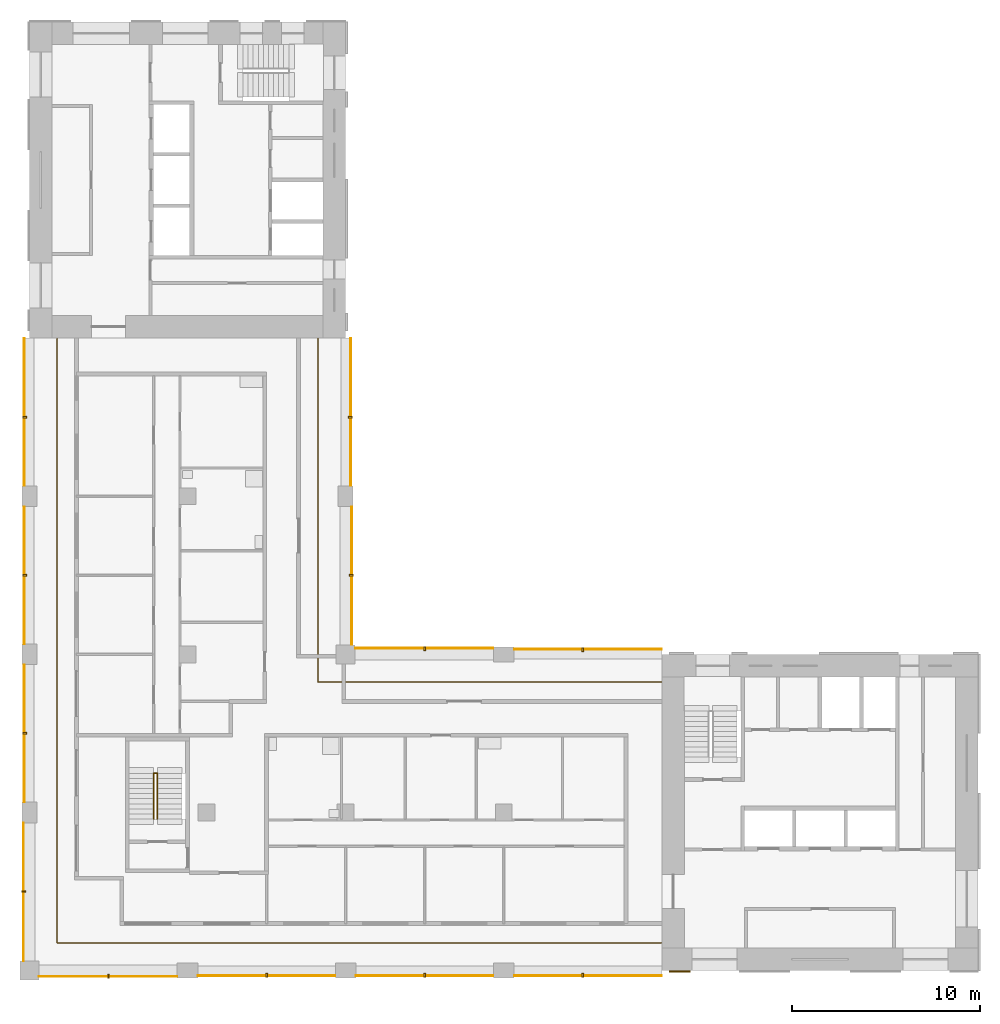
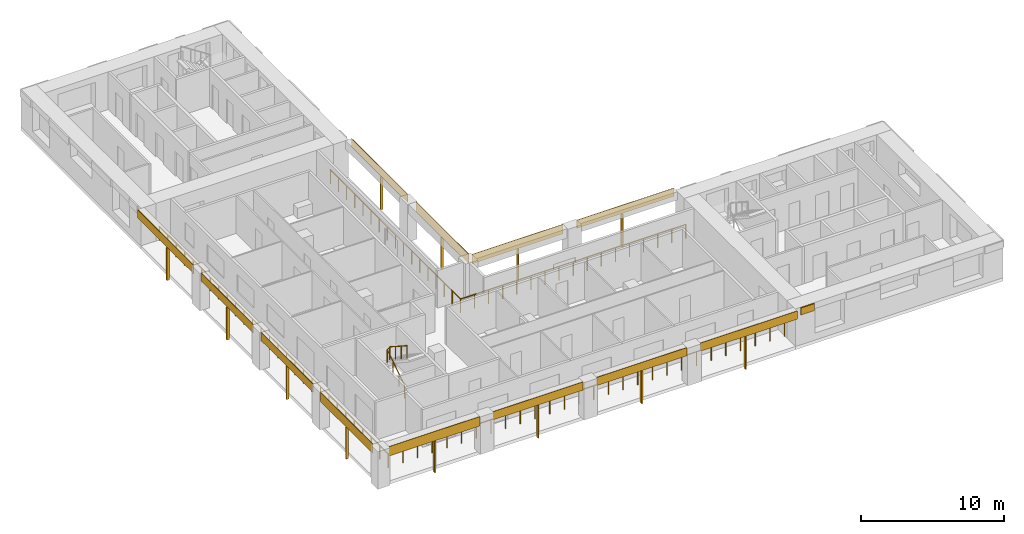
# One storey, part 7 of 9: 25 shading devices, 3 railings.
"""IFC4 building model written with IfcOpenShell, lengths in metres."""

import ifcopenshell
import ifcopenshell.guid

model = None  # the IFC model being written
_history = None  # IfcOwnerHistory: only IFC2X3 demands one
_inside = {}  # id of a spatial element -> (the spatial element, [elements in it])
_under = {}  # id of a project, library or spatial element -> (it, [spatial elements below it])
_declared = {}  # id of a project -> (the project, [libraries it declares])
_typed = {}  # id of a type object -> (the type object, [elements of that type])
_made_of = {}  # id of a material, layer set ... -> (it, [elements and type objects made of it])


def new_model(schema):
    """Start an empty IFC model of exactly this schema.

    Asked for "IFC4X3", IfcOpenShell would pick the latest addendum, in which some entities
    have other attributes; the version numbers below select the first issue.
    IFC2X3 requires an IfcOwnerHistory on every rooted entity: one is made here for all.
    """
    global model, _history
    if schema == "IFC4X3":
        model = ifcopenshell.file(schema_version=(4, 3, 0, 0))
    else:
        model = ifcopenshell.file(schema=schema)
    _inside.clear()
    _under.clear()
    _declared.clear()
    _typed.clear()
    _made_of.clear()
    _history = None
    if model.schema == "IFC2X3":
        org = make("IfcOrganization", Name="unknown")
        user = make(
            "IfcPersonAndOrganization",
            ThePerson=make("IfcPerson", FamilyName="unknown"),
            TheOrganization=org,
        )
        app = make(
            "IfcApplication",
            ApplicationDeveloper=org,
            Version="unknown",
            ApplicationFullName="unknown",
            ApplicationIdentifier="unknown",
        )
        _history = make(
            "IfcOwnerHistory",
            OwningUser=user,
            OwningApplication=app,
            ChangeAction="ADDED",
            CreationDate=0,
        )
    return model


def make(cls, **values):
    """One entity of the class cls with the attributes given. An attribute that is None is left unset."""
    return model.create_entity(
        cls, **{name: value for name, value in values.items() if value is not None}
    )


def rooted(cls, **values):
    """An entity with a GlobalId (a new one), such as an element, a storey or a relation."""
    return make(cls, GlobalId=ifcopenshell.guid.new(), OwnerHistory=_history, **values)


def si_unit(unit_type, name, prefix=None):
    """IfcSIUnit, for example si_unit("LENGTHUNIT", "METRE", prefix="MILLI")."""
    return make("IfcSIUnit", UnitType=unit_type, Prefix=prefix, Name=name)


def assignment(units):
    """IfcUnitAssignment: the units of a project."""
    return None if units is None else make("IfcUnitAssignment", Units=units)


def point(xyz):
    """IfcCartesianPoint."""
    return None if xyz is None else make("IfcCartesianPoint", Coordinates=xyz)


def direction(xyz):
    """IfcDirection."""
    return None if xyz is None else make("IfcDirection", DirectionRatios=xyz)


def frame(location, z_axis=None, x_axis=None):
    """IfcAxis2Placement3D, a coordinate frame: its origin and axes. An axis left out is left unset."""
    return make(
        "IfcAxis2Placement3D",
        Location=point(location),
        Axis=direction(z_axis),
        RefDirection=direction(x_axis),
    )


def frame_2d(location, x_axis=None):
    """IfcAxis2Placement2D, a coordinate frame in the plane: its origin and x axis."""
    return make(
        "IfcAxis2Placement2D", Location=point(location), RefDirection=direction(x_axis)
    )


def origin():
    """The frame at (0, 0, 0) with its axes left unset."""
    return frame((0.0, 0.0, 0.0))


def origin_2d():
    """The frame at (0, 0) in the plane with its x axis left unset."""
    return frame_2d((0.0, 0.0))


def place(relative_to, where):
    """IfcLocalPlacement: puts the frame where relative to a parent placement (None: the world)."""
    return make(
        "IfcLocalPlacement", PlacementRelTo=relative_to, RelativePlacement=where
    )


def context(
    kind, dimensions, precision=None, world=None, true_north=None, identifier=None
):
    """IfcGeometricRepresentationContext, for example the 3D "Model" context."""
    return make(
        "IfcGeometricRepresentationContext",
        ContextIdentifier=identifier,
        ContextType=kind,
        CoordinateSpaceDimension=dimensions,
        Precision=precision,
        WorldCoordinateSystem=world,
        TrueNorth=true_north,
    )


def subcontext(parent, identifier, kind, view, scale=None):
    """IfcGeometricRepresentationSubContext, for example "Body" below "Model"."""
    return make(
        "IfcGeometricRepresentationSubContext",
        ContextIdentifier=identifier,
        ContextType=kind,
        ParentContext=parent,
        TargetScale=scale,
        TargetView=view,
    )


def project(units=None, contexts=None):
    """IfcProject with its units and contexts."""
    return rooted(
        "IfcProject",
        Name="project",
        RepresentationContexts=contexts,
        UnitsInContext=assignment(units),
    )


def spatial(cls, under=None, at=None, **own):
    """A site, building, storey or space (cls), placed at a placement, below another one or the project."""
    s = rooted(cls, ObjectPlacement=at, **own)
    if under is not None:
        _under.setdefault(under.id(), (under, []))[1].append(s)
    return s


def profile(cls, at=None, kind="AREA", **sizes):
    """A parametric profile (cls). Its sizes go by their IFC names, for example OverallWidth=200.0."""
    return make(cls, ProfileType=kind, Position=at, **sizes)


def rectangle(**sizes):
    """IfcRectangleProfileDef."""
    return profile("IfcRectangleProfileDef", **sizes)


def circle(**sizes):
    """IfcCircleProfileDef."""
    return profile("IfcCircleProfileDef", **sizes)


def extrude(swept, where, along, depth):
    """IfcExtrudedAreaSolid: the profile swept, set in the frame where, extruded along a direction by depth."""
    return make(
        "IfcExtrudedAreaSolid",
        SweptArea=swept,
        Position=where,
        ExtrudedDirection=direction(along),
        Depth=depth,
    )


def shape(context_of_items, identifier, shape_type, items):
    """IfcShapeRepresentation: the items that make up one representation, for example the "Body"."""
    return make(
        "IfcShapeRepresentation",
        ContextOfItems=context_of_items,
        RepresentationIdentifier=identifier,
        RepresentationType=shape_type,
        Items=items,
    )


def material(Name=None, Category=None):
    """IfcMaterial."""
    return make("IfcMaterial", Name=Name, Category=Category)


def layer(
    of_material, thickness, ventilated=None, Name=None, Category=None, Priority=None
):
    """IfcMaterialLayer: one layer of a wall or slab, of a material (None: an air gap)."""
    return make(
        "IfcMaterialLayer",
        Material=of_material,
        LayerThickness=thickness,
        IsVentilated=ventilated,
        Name=Name,
        Category=Category,
        Priority=Priority,
    )


def layer_set(layers, Name=None):
    """IfcMaterialLayerSet."""
    return make("IfcMaterialLayerSet", MaterialLayers=layers, LayerSetName=Name)


def material_profile(
    of_material, cross_section, Name=None, Category=None, Priority=None
):
    """IfcMaterialProfile: a cross section and its material."""
    return make(
        "IfcMaterialProfile",
        Name=Name,
        Material=of_material,
        Profile=cross_section,
        Priority=Priority,
        Category=Category,
    )


def profile_set(profiles, Name=None, composite=None):
    """IfcMaterialProfileSet."""
    return make(
        "IfcMaterialProfileSet",
        Name=Name,
        MaterialProfiles=profiles,
        CompositeProfile=composite,
    )


def made_of(thing, what):
    """Note that an element or type object is made of a material, layer set ...; save() writes the relation."""
    if what is not None:
        _made_of.setdefault(what.id(), (what, []))[1].append(thing)
    return thing


def type_object(cls, material=None, **own):
    """A type object (cls), such as IfcWallType, which elements share."""
    return made_of(rooted(cls, **own), material)


def element(
    cls,
    number,
    at=None,
    inside=None,
    cuts=None,
    type_object=None,
    material=None,
    context=None,
    identifier="Body",
    shape_type=None,
    held_by="IfcProductDefinitionShape",
    body=None,
    shapes=None,
    **own,
):
    """One element of the class cls, such as IfcWall. Its Tag is "e" and its number.

    at: its placement. inside: the storey or other place that contains it. cuts: it is an
    opening in that element (IfcRelVoidsElement). A single representation is given by context,
    identifier, shape_type and body (its items); several are given by shapes. held_by: the class
    of the entity that holds the representations. save() writes the other relations.
    """
    e = rooted(cls, Tag="e%d" % number, ObjectPlacement=at, **own)
    if body is not None:
        shapes = [shape(context, identifier, shape_type, body)]
    if shapes is not None:
        e.Representation = make(held_by, Representations=shapes)
    if inside is not None:
        _inside.setdefault(inside.id(), (inside, []))[1].append(e)
    if cuts is not None:
        rooted(
            "IfcRelVoidsElement", RelatingBuildingElement=cuts, RelatedOpeningElement=e
        )
    if type_object is not None:
        _typed.setdefault(type_object.id(), (type_object, []))[1].append(e)
    return made_of(e, material)


def aggregate(whole, parts):
    """IfcRelAggregates: a whole, such as a stair, and the parts it consists of."""
    return rooted("IfcRelAggregates", RelatingObject=whole, RelatedObjects=parts)


def save(model, path):
    """Write the relations noted so far, then the file.

    IfcRelAggregates (storeys below a building ...), IfcRelContainedInSpatialStructure (elements
    in a storey), IfcRelDefinesByType, IfcRelAssociatesMaterial and IfcRelDeclares: one each for
    every whole, place, type object, material and project.
    """
    for whole, parts in _under.values():
        aggregate(whole, parts)
    for where, things in _inside.values():
        rooted(
            "IfcRelContainedInSpatialStructure",
            RelatedElements=things,
            RelatingStructure=where,
        )
    for kind, things in _typed.values():
        rooted("IfcRelDefinesByType", RelatedObjects=things, RelatingType=kind)
    for what, things in _made_of.values():
        rooted("IfcRelAssociatesMaterial", RelatedObjects=things, RelatingMaterial=what)
    for by, libraries in _declared.values():
        rooted("IfcRelDeclares", RelatingContext=by, RelatedDefinitions=libraries)
    model.write(path)


model = new_model("IFC4")

# Units and contexts
model_context = context("Model", 3, precision=1e-05, world=origin(), true_north=direction((0.0, 1.0)))
body_context = subcontext(model_context, "Body", "Model", "MODEL_VIEW")
ifc_project = project(units=[si_unit("LENGTHUNIT", "METRE"), si_unit("AREAUNIT", "SQUARE_METRE"), si_unit("VOLUMEUNIT", "CUBIC_METRE"), si_unit("PLANEANGLEUNIT", "RADIAN"), si_unit("MASSUNIT", "GRAM", prefix="KILO")], contexts=[model_context])

# Site, building, storey
site_placement = place(None, origin())
site = spatial("IfcSite", under=ifc_project, at=site_placement, CompositionType="ELEMENT")
building_placement = place(site_placement, origin())
building = spatial("IfcBuilding", under=site, at=building_placement, Name="Vermilion Gate Residences", CompositionType="ELEMENT")
storey_placement = place(building_placement, frame((0.0, 0.0, 249.199951171875)))
storey = spatial("IfcBuildingStorey", under=building, at=storey_placement, Name="L65", CompositionType="ELEMENT", Elevation=249.199951171875)

# Railings
ifc_material_1 = material(Name="Stainless steel and toughened glass", Category="steel")
railing_type_1 = type_object("IfcRailingType", Name="LOGGIA GUARD STEEL AND GLASS 1200", PredefinedType="GUARDRAIL", material=ifc_material_1)
railing_1_placement = place(storey_placement, frame((41.97802734375, 23.72509765625, 0.0)))
element("IfcRailing", 1, at=railing_1_placement, inside=storey, type_object=railing_type_1, Name="Loggia guard", PredefinedType="GUARDRAIL", context=body_context, shape_type="SweptSolid", body=[
    extrude(circle(Radius=0.030029296875, at=origin_2d()), frame((0.0, 0.0, 1.169921875), z_axis=(-1.0, 0.0, 0.0), x_axis=(0.0, -1.0, 0.0)), (0.0, 0.0, 1.0), 18.2529296875),
    extrude(circle(Radius=0.030029296875, at=origin_2d()), frame((-18.2529296875, 0.0, 1.169921875), z_axis=(0.0, 1.0, 0.0), x_axis=(-1.0, 0.0, 0.0)), (0.0, 0.0, 1.0), 18.2529296875),
    extrude(circle(Radius=0.02490234375, at=origin_2d()), origin(), (0.0, 0.0, 1.0), 1.139892578125),
    extrude(circle(Radius=0.02490234375, at=origin_2d()), frame((-1.140869140625, 0.0, 0.0)), (0.0, 0.0, 1.0), 1.139892578125),
    extrude(circle(Radius=0.02490234375, at=origin_2d()), frame((-2.28173828125, 0.0, 0.0)), (0.0, 0.0, 1.0), 1.139892578125),
    extrude(circle(Radius=0.02490234375, at=origin_2d()), frame((-3.42236328125, 0.0, 0.0)), (0.0, 0.0, 1.0), 1.139892578125),
    extrude(circle(Radius=0.02490234375, at=origin_2d()), frame((-4.563232421875, 0.0, 0.0)), (0.0, 0.0, 1.0), 1.139892578125),
    extrude(circle(Radius=0.02490234375, at=origin_2d()), frame((-5.7041015625, 0.0, 0.0)), (0.0, 0.0, 1.0), 1.139892578125),
    extrude(circle(Radius=0.02490234375, at=origin_2d()), frame((-6.8447265625, 0.0, 0.0)), (0.0, 0.0, 1.0), 1.139892578125),
    extrude(circle(Radius=0.02490234375, at=origin_2d()), frame((-7.985595703125, 0.0, 0.0)), (0.0, 0.0, 1.0), 1.139892578125),
    extrude(circle(Radius=0.02490234375, at=origin_2d()), frame((-9.12646484375, 0.0, 0.0)), (0.0, 0.0, 1.0), 1.139892578125),
    extrude(circle(Radius=0.02490234375, at=origin_2d()), frame((-10.267333984375, 0.0, 0.0)), (0.0, 0.0, 1.0), 1.139892578125),
    extrude(circle(Radius=0.02490234375, at=origin_2d()), frame((-11.408203125, 0.0, 0.0)), (0.0, 0.0, 1.0), 1.139892578125),
    extrude(circle(Radius=0.02490234375, at=origin_2d()), frame((-12.548828125, 0.0, 0.0)), (0.0, 0.0, 1.0), 1.139892578125),
    extrude(circle(Radius=0.02490234375, at=origin_2d()), frame((-13.689697265625, 0.0, 0.0)), (0.0, 0.0, 1.0), 1.139892578125),
    extrude(circle(Radius=0.02490234375, at=origin_2d()), frame((-14.83056640625, 0.0, 0.0)), (0.0, 0.0, 1.0), 1.139892578125),
    extrude(circle(Radius=0.02490234375, at=origin_2d()), frame((-15.97119140625, 0.0, 0.0)), (0.0, 0.0, 1.0), 1.139892578125),
    extrude(circle(Radius=0.02490234375, at=origin_2d()), frame((-17.112060546875, 0.0, 0.0)), (0.0, 0.0, 1.0), 1.139892578125),
    extrude(circle(Radius=0.02490234375, at=origin_2d()), frame((-18.2529296875, 0.0, 0.0)), (0.0, 0.0, 1.0), 1.139892578125),
    extrude(circle(Radius=0.02490234375, at=origin_2d()), frame((-18.2529296875, 1.140869140625, 0.0)), (0.0, 0.0, 1.0), 1.139892578125),
    extrude(circle(Radius=0.02490234375, at=origin_2d()), frame((-18.2529296875, 2.28173828125, 0.0)), (0.0, 0.0, 1.0), 1.139892578125),
    extrude(circle(Radius=0.02490234375, at=origin_2d()), frame((-18.2529296875, 3.42236328125, 0.0)), (0.0, 0.0, 1.0), 1.139892578125),
    extrude(circle(Radius=0.02490234375, at=origin_2d()), frame((-18.2529296875, 4.563232421875, 0.0)), (0.0, 0.0, 1.0), 1.139892578125),
    extrude(circle(Radius=0.02490234375, at=origin_2d()), frame((-18.2529296875, 5.7041015625, 0.0)), (0.0, 0.0, 1.0), 1.139892578125),
    extrude(circle(Radius=0.02490234375, at=origin_2d()), frame((-18.2529296875, 6.8447265625, 0.0)), (0.0, 0.0, 1.0), 1.139892578125),
    extrude(circle(Radius=0.02490234375, at=origin_2d()), frame((-18.2529296875, 7.985595703125, 0.0)), (0.0, 0.0, 1.0), 1.139892578125),
    extrude(circle(Radius=0.02490234375, at=origin_2d()), frame((-18.2529296875, 9.12646484375, 0.0)), (0.0, 0.0, 1.0), 1.139892578125),
    extrude(circle(Radius=0.02490234375, at=origin_2d()), frame((-18.2529296875, 10.267333984375, 0.0)), (0.0, 0.0, 1.0), 1.139892578125),
    extrude(circle(Radius=0.02490234375, at=origin_2d()), frame((-18.2529296875, 11.408203125, 0.0)), (0.0, 0.0, 1.0), 1.139892578125),
    extrude(circle(Radius=0.02490234375, at=origin_2d()), frame((-18.2529296875, 12.548828125, 0.0)), (0.0, 0.0, 1.0), 1.139892578125),
    extrude(circle(Radius=0.02490234375, at=origin_2d()), frame((-18.2529296875, 13.689697265625, 0.0)), (0.0, 0.0, 1.0), 1.139892578125),
    extrude(circle(Radius=0.02490234375, at=origin_2d()), frame((-18.2529296875, 14.83056640625, 0.0)), (0.0, 0.0, 1.0), 1.139892578125),
    extrude(circle(Radius=0.02490234375, at=origin_2d()), frame((-18.2529296875, 15.97119140625, 0.0)), (0.0, 0.0, 1.0), 1.139892578125),
    extrude(circle(Radius=0.02490234375, at=origin_2d()), frame((-18.2529296875, 17.112060546875, 0.0)), (0.0, 0.0, 1.0), 1.139892578125),
    extrude(circle(Radius=0.02490234375, at=origin_2d()), frame((-18.2529296875, 18.2529296875, 0.0)), (0.0, 0.0, 1.0), 1.139892578125),
])
railing_2_placement = place(storey_placement, frame((9.875, 41.97802734375, 0.0)))
element("IfcRailing", 2, at=railing_2_placement, inside=storey, type_object=railing_type_1, Name="Loggia guard", PredefinedType="GUARDRAIL", context=body_context, shape_type="SweptSolid", body=[
    extrude(circle(Radius=0.030029296875, at=origin_2d()), frame((0.0, 0.0, 1.169921875), z_axis=(0.0, -1.0, 0.0), x_axis=(1.0, 0.0, 0.0)), (0.0, 0.0, 1.0), 32.10302734375),
    extrude(circle(Radius=0.030029296875, at=origin_2d()), frame((0.0, -32.10302734375, 1.169921875), z_axis=(1.0, 0.0, 0.0), x_axis=(0.0, 1.0, 0.0)), (0.0, 0.0, 1.0), 32.10302734375),
    extrude(circle(Radius=0.02490234375, at=origin_2d()), origin(), (0.0, 0.0, 1.0), 1.139892578125),
    extrude(circle(Radius=0.02490234375, at=origin_2d()), frame((0.0, -1.18896484375, 0.0)), (0.0, 0.0, 1.0), 1.139892578125),
    extrude(circle(Radius=0.02490234375, at=origin_2d()), frame((0.0, -2.3779296875, 0.0)), (0.0, 0.0, 1.0), 1.139892578125),
    extrude(circle(Radius=0.02490234375, at=origin_2d()), frame((0.0, -3.56689453125, 0.0)), (0.0, 0.0, 1.0), 1.139892578125),
    extrude(circle(Radius=0.02490234375, at=origin_2d()), frame((0.0, -4.756103515625, 0.0)), (0.0, 0.0, 1.0), 1.139892578125),
    extrude(circle(Radius=0.02490234375, at=origin_2d()), frame((0.0, -5.945068359375, 0.0)), (0.0, 0.0, 1.0), 1.139892578125),
    extrude(circle(Radius=0.02490234375, at=origin_2d()), frame((0.0, -7.134033203125, 0.0)), (0.0, 0.0, 1.0), 1.139892578125),
    extrude(circle(Radius=0.02490234375, at=origin_2d()), frame((0.0, -8.322998046875, 0.0)), (0.0, 0.0, 1.0), 1.139892578125),
    extrude(circle(Radius=0.02490234375, at=origin_2d()), frame((0.0, -9.511962890625, 0.0)), (0.0, 0.0, 1.0), 1.139892578125),
    extrude(circle(Radius=0.02490234375, at=origin_2d()), frame((0.0, -10.700927734375, 0.0)), (0.0, 0.0, 1.0), 1.139892578125),
    extrude(circle(Radius=0.02490234375, at=origin_2d()), frame((0.0, -11.889892578125, 0.0)), (0.0, 0.0, 1.0), 1.139892578125),
    extrude(circle(Radius=0.02490234375, at=origin_2d()), frame((0.0, -13.0791015625, 0.0)), (0.0, 0.0, 1.0), 1.139892578125),
    extrude(circle(Radius=0.02490234375, at=origin_2d()), frame((0.0, -14.26806640625, 0.0)), (0.0, 0.0, 1.0), 1.139892578125),
    extrude(circle(Radius=0.02490234375, at=origin_2d()), frame((0.0, -15.45703125, 0.0)), (0.0, 0.0, 1.0), 1.139892578125),
    extrude(circle(Radius=0.02490234375, at=origin_2d()), frame((0.0, -16.64599609375, 0.0)), (0.0, 0.0, 1.0), 1.139892578125),
    extrude(circle(Radius=0.02490234375, at=origin_2d()), frame((0.0, -17.8349609375, 0.0)), (0.0, 0.0, 1.0), 1.139892578125),
    extrude(circle(Radius=0.02490234375, at=origin_2d()), frame((0.0, -19.02392578125, 0.0)), (0.0, 0.0, 1.0), 1.139892578125),
    extrude(circle(Radius=0.02490234375, at=origin_2d()), frame((0.0, -20.213134765625, 0.0)), (0.0, 0.0, 1.0), 1.139892578125),
    extrude(circle(Radius=0.02490234375, at=origin_2d()), frame((0.0, -21.402099609375, 0.0)), (0.0, 0.0, 1.0), 1.139892578125),
    extrude(circle(Radius=0.02490234375, at=origin_2d()), frame((0.0, -22.591064453125, 0.0)), (0.0, 0.0, 1.0), 1.139892578125),
    extrude(circle(Radius=0.02490234375, at=origin_2d()), frame((0.0, -23.780029296875, 0.0)), (0.0, 0.0, 1.0), 1.139892578125),
    extrude(circle(Radius=0.02490234375, at=origin_2d()), frame((0.0, -24.968994140625, 0.0)), (0.0, 0.0, 1.0), 1.139892578125),
    extrude(circle(Radius=0.02490234375, at=origin_2d()), frame((0.0, -26.157958984375, 0.0)), (0.0, 0.0, 1.0), 1.139892578125),
    extrude(circle(Radius=0.02490234375, at=origin_2d()), frame((0.0, -27.346923828125, 0.0)), (0.0, 0.0, 1.0), 1.139892578125),
    extrude(circle(Radius=0.02490234375, at=origin_2d()), frame((0.0, -28.5361328125, 0.0)), (0.0, 0.0, 1.0), 1.139892578125),
    extrude(circle(Radius=0.02490234375, at=origin_2d()), frame((0.0, -29.72509765625, 0.0)), (0.0, 0.0, 1.0), 1.139892578125),
    extrude(circle(Radius=0.02490234375, at=origin_2d()), frame((0.0, -30.9140625, 0.0)), (0.0, 0.0, 1.0), 1.139892578125),
    extrude(circle(Radius=0.02490234375, at=origin_2d()), frame((0.0, -32.10302734375, 0.0)), (0.0, 0.0, 1.0), 1.139892578125),
    extrude(circle(Radius=0.02490234375, at=origin_2d()), frame((1.18896484375, -32.10302734375, 0.0)), (0.0, 0.0, 1.0), 1.139892578125),
    extrude(circle(Radius=0.02490234375, at=origin_2d()), frame((2.3779296875, -32.10302734375, 0.0)), (0.0, 0.0, 1.0), 1.139892578125),
    extrude(circle(Radius=0.02490234375, at=origin_2d()), frame((3.56689453125, -32.10302734375, 0.0)), (0.0, 0.0, 1.0), 1.139892578125),
    extrude(circle(Radius=0.02490234375, at=origin_2d()), frame((4.756103515625, -32.10302734375, 0.0)), (0.0, 0.0, 1.0), 1.139892578125),
    extrude(circle(Radius=0.02490234375, at=origin_2d()), frame((5.945068359375, -32.10302734375, 0.0)), (0.0, 0.0, 1.0), 1.139892578125),
    extrude(circle(Radius=0.02490234375, at=origin_2d()), frame((7.134033203125, -32.10302734375, 0.0)), (0.0, 0.0, 1.0), 1.139892578125),
    extrude(circle(Radius=0.02490234375, at=origin_2d()), frame((8.322998046875, -32.10302734375, 0.0)), (0.0, 0.0, 1.0), 1.139892578125),
    extrude(circle(Radius=0.02490234375, at=origin_2d()), frame((9.511962890625, -32.10302734375, 0.0)), (0.0, 0.0, 1.0), 1.139892578125),
    extrude(circle(Radius=0.02490234375, at=origin_2d()), frame((10.700927734375, -32.10302734375, 0.0)), (0.0, 0.0, 1.0), 1.139892578125),
    extrude(circle(Radius=0.02490234375, at=origin_2d()), frame((11.889892578125, -32.10302734375, 0.0)), (0.0, 0.0, 1.0), 1.139892578125),
    extrude(circle(Radius=0.02490234375, at=origin_2d()), frame((13.0791015625, -32.10302734375, 0.0)), (0.0, 0.0, 1.0), 1.139892578125),
    extrude(circle(Radius=0.02490234375, at=origin_2d()), frame((14.26806640625, -32.10302734375, 0.0)), (0.0, 0.0, 1.0), 1.139892578125),
    extrude(circle(Radius=0.02490234375, at=origin_2d()), frame((15.45703125, -32.10302734375, 0.0)), (0.0, 0.0, 1.0), 1.139892578125),
    extrude(circle(Radius=0.02490234375, at=origin_2d()), frame((16.64599609375, -32.10302734375, 0.0)), (0.0, 0.0, 1.0), 1.139892578125),
    extrude(circle(Radius=0.02490234375, at=origin_2d()), frame((17.8349609375, -32.10302734375, 0.0)), (0.0, 0.0, 1.0), 1.139892578125),
    extrude(circle(Radius=0.02490234375, at=origin_2d()), frame((19.02392578125, -32.10302734375, 0.0)), (0.0, 0.0, 1.0), 1.139892578125),
    extrude(circle(Radius=0.02490234375, at=origin_2d()), frame((20.213134765625, -32.10302734375, 0.0)), (0.0, 0.0, 1.0), 1.139892578125),
    extrude(circle(Radius=0.02490234375, at=origin_2d()), frame((21.402099609375, -32.10302734375, 0.0)), (0.0, 0.0, 1.0), 1.139892578125),
    extrude(circle(Radius=0.02490234375, at=origin_2d()), frame((22.591064453125, -32.10302734375, 0.0)), (0.0, 0.0, 1.0), 1.139892578125),
    extrude(circle(Radius=0.02490234375, at=origin_2d()), frame((23.780029296875, -32.10302734375, 0.0)), (0.0, 0.0, 1.0), 1.139892578125),
    extrude(circle(Radius=0.02490234375, at=origin_2d()), frame((24.968994140625, -32.10302734375, 0.0)), (0.0, 0.0, 1.0), 1.139892578125),
    extrude(circle(Radius=0.02490234375, at=origin_2d()), frame((26.157958984375, -32.10302734375, 0.0)), (0.0, 0.0, 1.0), 1.139892578125),
    extrude(circle(Radius=0.02490234375, at=origin_2d()), frame((27.346923828125, -32.10302734375, 0.0)), (0.0, 0.0, 1.0), 1.139892578125),
    extrude(circle(Radius=0.02490234375, at=origin_2d()), frame((28.5361328125, -32.10302734375, 0.0)), (0.0, 0.0, 1.0), 1.139892578125),
    extrude(circle(Radius=0.02490234375, at=origin_2d()), frame((29.72509765625, -32.10302734375, 0.0)), (0.0, 0.0, 1.0), 1.139892578125),
    extrude(circle(Radius=0.02490234375, at=origin_2d()), frame((30.9140625, -32.10302734375, 0.0)), (0.0, 0.0, 1.0), 1.139892578125),
    extrude(circle(Radius=0.02490234375, at=origin_2d()), frame((32.10302734375, -32.10302734375, 0.0)), (0.0, 0.0, 1.0), 1.139892578125),
])

# Shading devices
ifc_material_2 = material(Name="Perforated terracotta", Category="masonry")
ifc_layer_1 = layer(ifc_material_2, 0.0400390625)
ifc_layer_set_1 = layer_set([ifc_layer_1], Name="PERFORATED TERRACOTTA SCREEN 40")
shading_device_type_1 = type_object("IfcShadingDeviceType", Name="PERFORATED TERRACOTTA SCREEN 40", PredefinedType="SHUTTER", material=ifc_layer_set_1)
shading_device_1_placement = place(storey_placement, frame((12.574951171875, 8.080078125, 2.419921875), z_axis=(0.0, 0.0, 1.0), x_axis=(1.0, 0.0, 0.0)))
element("IfcShadingDevice", 3, at=shading_device_1_placement, inside=storey, type_object=shading_device_type_1, Name="SCREEN", PredefinedType="SHUTTER", context=body_context, shape_type="SweptSolid", body=[
    extrude(rectangle(XDim=7.35009765625, YDim=0.0400390625, at=origin_2d()), origin(), (0.0, 0.0, 1.0), 0.800048828125),
])
for number, where, z_axis, x_axis, name in (
    (4, (21.0, 8.1298828125, 2.52001953125), (0.0, 0.0, 1.0), (1.0, 0.0, 0.0), "SCREEN"),
    (5, (29.39990234375, 8.1298828125, 2.52001953125), (0.0, 0.0, 1.0), (1.0, 0.0, 0.0), "SCREEN"),
):
    element("IfcShadingDevice", number, at=place(storey_placement, frame(where, z_axis=z_axis, x_axis=x_axis)), inside=storey, type_object=shading_device_type_1, Name=name, PredefinedType="SHUTTER", context=body_context, shape_type="SweptSolid", body=[
        extrude(rectangle(XDim=7.300048828125, YDim=0.0400390625, at=origin_2d()), origin(), (0.0, 0.0, 1.0), 0.699951171875),
    ])
shading_device_2_placement = place(storey_placement, frame((38.074951171875, 8.1298828125, 2.52001953125), z_axis=(0.0, 0.0, 1.0), x_axis=(1.0, 0.0, 0.0)))
element("IfcShadingDevice", 6, at=shading_device_2_placement, inside=storey, type_object=shading_device_type_1, Name="SCREEN", PredefinedType="SHUTTER", context=body_context, shape_type="SweptSolid", body=[
    extrude(rectangle(XDim=7.85009765625, YDim=0.0400390625, at=origin_2d()), origin(), (0.0, 0.0, 1.0), 0.699951171875),
])
shading_device_3_placement = place(storey_placement, frame((29.375, 25.52001953125, 2.419921875), z_axis=(0.0, 0.0, 1.0), x_axis=(-1.0, 0.0, 0.0)))
element("IfcShadingDevice", 7, at=shading_device_3_placement, inside=storey, type_object=shading_device_type_1, Name="SCREEN", PredefinedType="SHUTTER", context=body_context, shape_type="SweptSolid", body=[
    extrude(rectangle(XDim=7.35009765625, YDim=0.0400390625, at=origin_2d()), origin(), (0.0, 0.0, 1.0), 0.800048828125),
])
shading_device_4_placement = place(storey_placement, frame((38.074951171875, 25.469970703125, 2.52001953125), z_axis=(0.0, 0.0, 1.0), x_axis=(-1.0, 0.0, 0.0)))
element("IfcShadingDevice", 8, at=shading_device_4_placement, inside=storey, type_object=shading_device_type_1, Name="SCREEN", PredefinedType="SHUTTER", context=body_context, shape_type="SweptSolid", body=[
    extrude(rectangle(XDim=7.85009765625, YDim=0.0400390625, at=origin_2d()), origin(), (0.0, 0.0, 1.0), 0.699951171875),
])
shading_device_5_placement = place(storey_placement, frame((25.52001953125, 29.375, 2.419921875), z_axis=(0.0, 0.0, 1.0), x_axis=(0.0, 1.0, 0.0)))
element("IfcShadingDevice", 9, at=shading_device_5_placement, inside=storey, type_object=shading_device_type_1, Name="SCREEN", PredefinedType="SHUTTER", context=body_context, shape_type="SweptSolid", body=[
    extrude(rectangle(XDim=7.35009765625, YDim=0.0400390625, at=origin_2d()), origin(), (0.0, 0.0, 1.0), 0.800048828125),
])
shading_device_6_placement = place(storey_placement, frame((25.469970703125, 38.074951171875, 2.52001953125), z_axis=(0.0, 0.0, 1.0), x_axis=(0.0, 1.0, 0.0)))
element("IfcShadingDevice", 10, at=shading_device_6_placement, inside=storey, type_object=shading_device_type_1, Name="SCREEN", PredefinedType="SHUTTER", context=body_context, shape_type="SweptSolid", body=[
    extrude(rectangle(XDim=7.85009765625, YDim=0.0400390625, at=origin_2d()), origin(), (0.0, 0.0, 1.0), 0.699951171875),
])
shading_device_7_placement = place(storey_placement, frame((8.080078125, 12.574951171875, 2.419921875), z_axis=(0.0, 0.0, 1.0), x_axis=(0.0, -1.0, 0.0)))
element("IfcShadingDevice", 11, at=shading_device_7_placement, inside=storey, type_object=shading_device_type_1, Name="SCREEN", PredefinedType="SHUTTER", context=body_context, shape_type="SweptSolid", body=[
    extrude(rectangle(XDim=7.35009765625, YDim=0.0400390625, at=origin_2d()), origin(), (0.0, 0.0, 1.0), 0.800048828125),
])
for number, where, z_axis, x_axis, name in (
    (12, (8.1298828125, 21.0, 2.52001953125), (0.0, 0.0, 1.0), (0.0, -1.0, 0.0), "SCREEN"),
    (13, (8.1298828125, 29.39990234375, 2.52001953125), (0.0, 0.0, 1.0), (0.0, -1.0, 0.0), "SCREEN"),
):
    element("IfcShadingDevice", number, at=place(storey_placement, frame(where, z_axis=z_axis, x_axis=x_axis)), inside=storey, type_object=shading_device_type_1, Name=name, PredefinedType="SHUTTER", context=body_context, shape_type="SweptSolid", body=[
        extrude(rectangle(XDim=7.300048828125, YDim=0.0400390625, at=origin_2d()), origin(), (0.0, 0.0, 1.0), 0.699951171875),
    ])
shading_device_8_placement = place(storey_placement, frame((8.1298828125, 38.074951171875, 2.52001953125), z_axis=(0.0, 0.0, 1.0), x_axis=(0.0, -1.0, 0.0)))
element("IfcShadingDevice", 14, at=shading_device_8_placement, inside=storey, type_object=shading_device_type_1, Name="SCREEN", PredefinedType="SHUTTER", context=body_context, shape_type="SweptSolid", body=[
    extrude(rectangle(XDim=7.85009765625, YDim=0.0400390625, at=origin_2d()), origin(), (0.0, 0.0, 1.0), 0.699951171875),
])

# Railing
ifc_material_3 = material(Name="Steel S355", Category="steel")
railing_type_2 = type_object("IfcRailingType", Name="STAIR GUARD 1100 STEEL", PredefinedType="GUARDRAIL", material=ifc_material_3)
railing_3_placement = place(storey_placement, frame((15.0, 16.449951171875, 0.175048828125)))
element("IfcRailing", 15, at=railing_3_placement, inside=storey, type_object=railing_type_2, Name="Stair well guard STC1-65", PredefinedType="GUARDRAIL", context=body_context, shape_type="SweptSolid", body=[
    extrude(circle(Radius=0.02392578125, at=origin_2d()), frame((0.0, 0.0, 1.076171875), z_axis=(0.0, 0.839153699163, 0.543894354798), x_axis=(-1.0, 0.0, 0.0)), (0.0, 0.0, 1.0), 2.895751953125),
    extrude(circle(Radius=0.02392578125, at=origin_2d()), frame((0.0, 2.429931640625, 2.65087890625), z_axis=(0.752405939678, 0.0, 0.658699705433), x_axis=(0.0, 1.0, 0.0)), (0.0, 0.0, 1.0), 0.265869140625),
    extrude(circle(Radius=0.02392578125, at=origin_2d()), frame((0.199951171875, 2.429931640625, 2.826171875), z_axis=(0.0, -0.839153699163, 0.543894354798), x_axis=(1.0, 0.0, 0.0)), (0.0, 0.0, 1.0), 2.895751953125),
    extrude(circle(Radius=0.02099609375, at=origin_2d()), origin(), (0.0, 0.0, 1.0), 1.052001953125),
    extrude(circle(Radius=0.02099609375, at=origin_2d()), frame((0.0, 0.81005859375, 0.52490234375)), (0.0, 0.0, 1.0), 1.052001953125),
    extrude(circle(Radius=0.02099609375, at=origin_2d()), frame((0.0, 1.619873046875, 1.050048828125)), (0.0, 0.0, 1.0), 1.052001953125),
    extrude(circle(Radius=0.02099609375, at=origin_2d()), frame((0.0, 2.429931640625, 1.574951171875)), (0.0, 0.0, 1.0), 1.052001953125),
    extrude(circle(Radius=0.02099609375, at=origin_2d()), frame((0.199951171875, 2.429931640625, 1.75)), (0.0, 0.0, 1.0), 1.052001953125),
    extrude(circle(Radius=0.02099609375, at=origin_2d()), frame((0.199951171875, 1.619873046875, 2.27490234375)), (0.0, 0.0, 1.0), 1.052001953125),
    extrude(circle(Radius=0.02099609375, at=origin_2d()), frame((0.199951171875, 0.81005859375, 2.800048828125)), (0.0, 0.0, 1.0), 1.052001953125),
    extrude(circle(Radius=0.02099609375, at=origin_2d()), frame((0.199951171875, 0.0, 3.324951171875)), (0.0, 0.0, 1.0), 1.052001953125),
])

# Shading devices
ifc_material_4 = material(Name="Extruded terracotta", Category="masonry")
ifc_material_profile = material_profile(ifc_material_4, rectangle(XDim=0.199951171875, YDim=0.10009765625, at=origin_2d()), Name="BAGUETTE 100 X 200")
ifc_profile_set = profile_set([ifc_material_profile], Name="Extruded terracotta")
shading_device_type_2 = type_object("IfcShadingDeviceType", Name="TERRACOTTA BAGUETTE 100 X 200", PredefinedType="JALOUSIE", material=ifc_profile_set)
shading_device_9_placement = place(storey_placement, frame((12.60009765625, 8.10009765625, -0.280029296875), z_axis=(0.0, 0.0, 1.0), x_axis=(0.0, 1.0, 0.0)))
element("IfcShadingDevice", 16, at=shading_device_9_placement, inside=storey, type_object=shading_device_type_2, Name="BAGUETTE", PredefinedType="JALOUSIE", context=body_context, shape_type="SweptSolid", body=[
    extrude(rectangle(XDim=0.199951171875, YDim=0.10009765625, at=origin_2d()), origin(), (0.0, 0.0, 1.0), 2.7001953125),
])
for number, where, z_axis, x_axis, name in (
    (17, (21.0, 8.14990234375, -0.280029296875), (0.0, 0.0, 1.0), (0.0, 1.0, 0.0), "BAGUETTE"),
    (18, (29.39990234375, 8.14990234375, -0.280029296875), (0.0, 0.0, 1.0), (0.0, 1.0, 0.0), "BAGUETTE"),
    (19, (37.800048828125, 8.14990234375, -0.280029296875), (0.0, 0.0, 1.0), (0.0, 1.0, 0.0), "BAGUETTE"),
):
    element("IfcShadingDevice", number, at=place(storey_placement, frame(where, z_axis=z_axis, x_axis=x_axis)), inside=storey, type_object=shading_device_type_2, Name=name, PredefinedType="JALOUSIE", context=body_context, shape_type="SweptSolid", body=[
        extrude(rectangle(XDim=0.199951171875, YDim=0.10009765625, at=origin_2d()), origin(), (0.0, 0.0, 1.0), 2.800048828125),
    ])
shading_device_10_placement = place(storey_placement, frame((29.39990234375, 25.5, -0.280029296875), z_axis=(0.0, 0.0, 1.0), x_axis=(0.0, -1.0, 0.0)))
element("IfcShadingDevice", 20, at=shading_device_10_placement, inside=storey, type_object=shading_device_type_2, Name="BAGUETTE", PredefinedType="JALOUSIE", context=body_context, shape_type="SweptSolid", body=[
    extrude(rectangle(XDim=0.199951171875, YDim=0.10009765625, at=origin_2d()), origin(), (0.0, 0.0, 1.0), 2.7001953125),
])
shading_device_11_placement = place(storey_placement, frame((37.800048828125, 25.449951171875, -0.280029296875), z_axis=(0.0, 0.0, 1.0), x_axis=(0.0, -1.0, 0.0)))
element("IfcShadingDevice", 21, at=shading_device_11_placement, inside=storey, type_object=shading_device_type_2, Name="BAGUETTE", PredefinedType="JALOUSIE", context=body_context, shape_type="SweptSolid", body=[
    extrude(rectangle(XDim=0.199951171875, YDim=0.10009765625, at=origin_2d()), origin(), (0.0, 0.0, 1.0), 2.800048828125),
])
shading_device_12_placement = place(storey_placement, frame((25.5, 29.39990234375, -0.280029296875), z_axis=(0.0, 0.0, 1.0), x_axis=(-1.0, 0.0, 0.0)))
element("IfcShadingDevice", 22, at=shading_device_12_placement, inside=storey, type_object=shading_device_type_2, Name="BAGUETTE", PredefinedType="JALOUSIE", context=body_context, shape_type="SweptSolid", body=[
    extrude(rectangle(XDim=0.199951171875, YDim=0.10009765625, at=origin_2d()), origin(), (0.0, 0.0, 1.0), 2.7001953125),
])
shading_device_13_placement = place(storey_placement, frame((25.449951171875, 37.800048828125, -0.280029296875), z_axis=(0.0, 0.0, 1.0), x_axis=(-1.0, 0.0, 0.0)))
element("IfcShadingDevice", 23, at=shading_device_13_placement, inside=storey, type_object=shading_device_type_2, Name="BAGUETTE", PredefinedType="JALOUSIE", context=body_context, shape_type="SweptSolid", body=[
    extrude(rectangle(XDim=0.199951171875, YDim=0.10009765625, at=origin_2d()), origin(), (0.0, 0.0, 1.0), 2.800048828125),
])
shading_device_14_placement = place(storey_placement, frame((8.10009765625, 12.60009765625, -0.280029296875), z_axis=(0.0, 0.0, 1.0), x_axis=(1.0, 0.0, 0.0)))
element("IfcShadingDevice", 24, at=shading_device_14_placement, inside=storey, type_object=shading_device_type_2, Name="BAGUETTE", PredefinedType="JALOUSIE", context=body_context, shape_type="SweptSolid", body=[
    extrude(rectangle(XDim=0.199951171875, YDim=0.10009765625, at=origin_2d()), origin(), (0.0, 0.0, 1.0), 2.7001953125),
])
for number, where, z_axis, x_axis, name in (
    (25, (8.14990234375, 21.0, -0.280029296875), (0.0, 0.0, 1.0), (1.0, 0.0, 0.0), "BAGUETTE"),
    (26, (8.14990234375, 29.39990234375, -0.280029296875), (0.0, 0.0, 1.0), (1.0, 0.0, 0.0), "BAGUETTE"),
    (27, (8.14990234375, 37.800048828125, -0.280029296875), (0.0, 0.0, 1.0), (1.0, 0.0, 0.0), "BAGUETTE"),
):
    element("IfcShadingDevice", number, at=place(storey_placement, frame(where, z_axis=z_axis, x_axis=x_axis)), inside=storey, type_object=shading_device_type_2, Name=name, PredefinedType="JALOUSIE", context=body_context, shape_type="SweptSolid", body=[
        extrude(rectangle(XDim=0.199951171875, YDim=0.10009765625, at=origin_2d()), origin(), (0.0, 0.0, 1.0), 2.800048828125),
    ])
ifc_material_5 = material(Name="Extruded terracotta", Category="masonry")
ifc_layer_2 = layer(ifc_material_5, 0.10009765625)
ifc_layer_set_2 = layer_set([ifc_layer_2], Name="TERRACOTTA SPANDREL BAND 600 X 100")
shading_device_type_3 = type_object("IfcShadingDeviceType", Name="TERRACOTTA SPANDREL BAND 600 X 100", PredefinedType="USERDEFINED", material=ifc_layer_set_2)
shading_device_15_placement = place(storey_placement, frame((42.949951171875, 8.35009765625, 2.6201171875), z_axis=(0.0, 0.0, 1.0), x_axis=(1.0, 0.0, 0.0)))
element("IfcShadingDevice", 28, at=shading_device_15_placement, inside=storey, type_object=shading_device_type_3, Name="SPANDREL BAND", ObjectType="BAND", PredefinedType="USERDEFINED", context=body_context, shape_type="SweptSolid", body=[
    extrude(rectangle(XDim=1.10009765625, YDim=0.10009765625, at=origin_2d()), origin(), (0.0, 0.0, 1.0), 0.60009765625),
])

save(model, "model.ifc")
